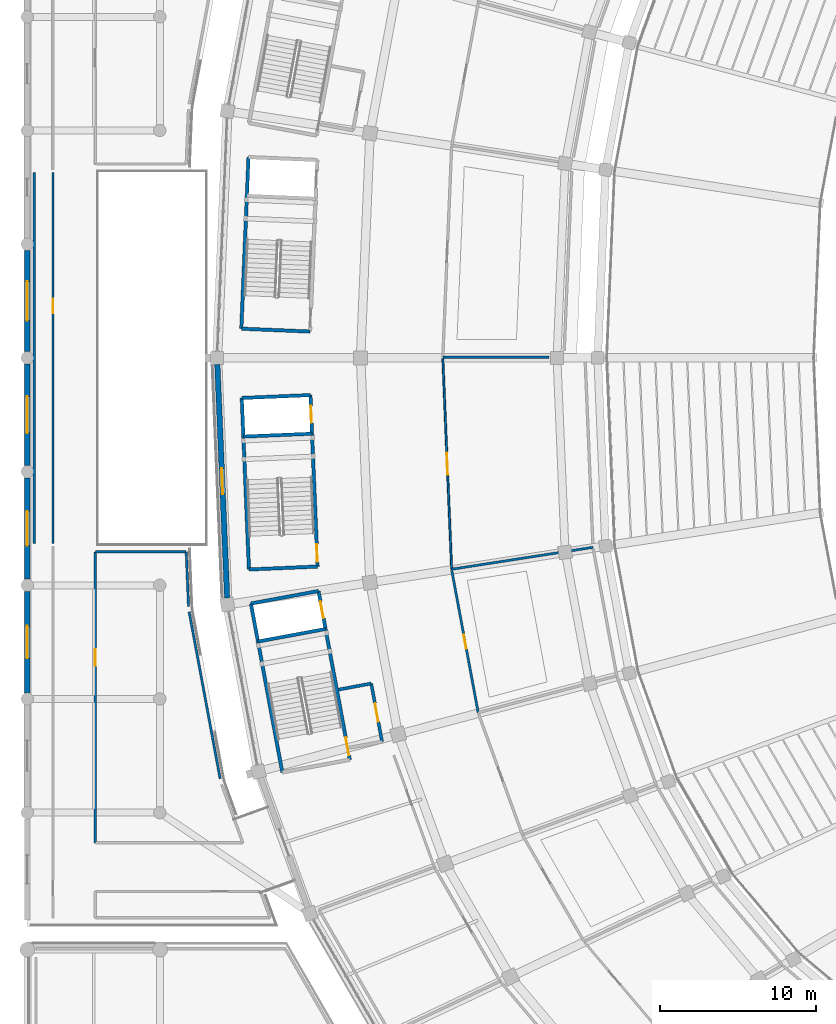
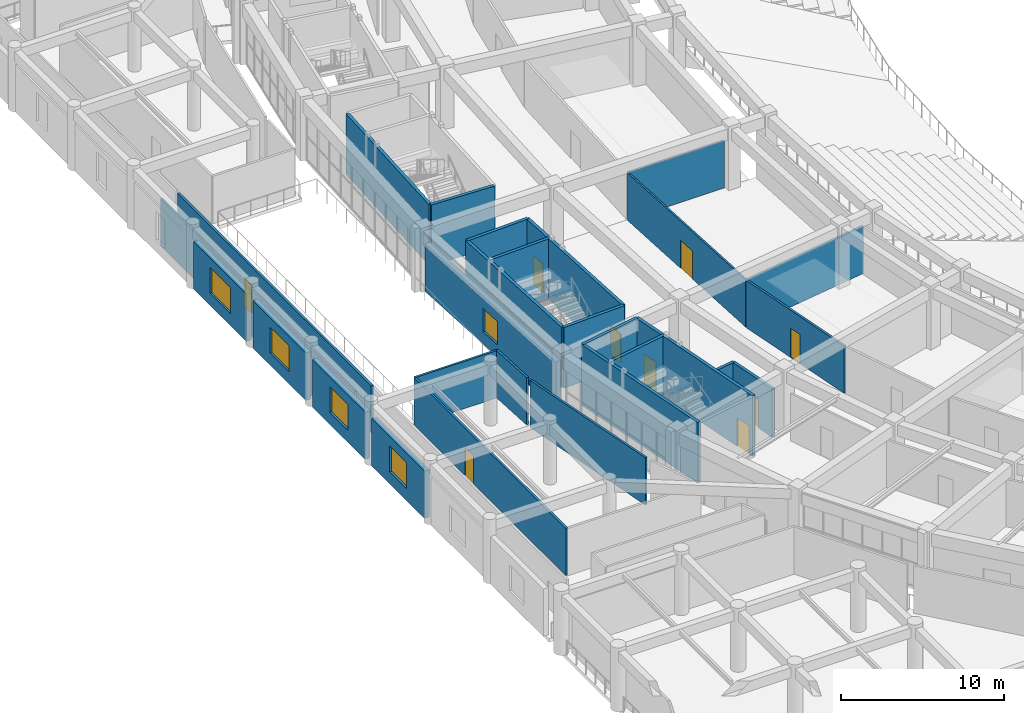
# One storey, part 99 of 152: 28 walls, 9 doors, 5 windows, 14 openings.
"""IFC4 building model written with IfcOpenShell, lengths in metres."""

from ifc_helpers import new_model, si_unit, direction, frame, frame_2d, origin, place, context, subcontext, project, spatial, rectangle, extrude, material, layer, layer_set, type_object, element, fill, save


model = new_model("IFC4")

# Units and contexts
model_context = context("Model", 3, precision=1e-05, world=origin(), true_north=direction((0.0, 1.0)))
body_context = subcontext(model_context, "Body", "Model", "MODEL_VIEW")
ifc_project = project(units=[si_unit("LENGTHUNIT", "METRE"), si_unit("AREAUNIT", "SQUARE_METRE"), si_unit("VOLUMEUNIT", "CUBIC_METRE"), si_unit("PLANEANGLEUNIT", "RADIAN"), si_unit("MASSUNIT", "GRAM", prefix="KILO")], contexts=[model_context])

# Site, building, storey
site_placement = place(None, origin())
site = spatial("IfcSite", under=ifc_project, at=site_placement, CompositionType="ELEMENT")
building_placement = place(site_placement, origin())
building = spatial("IfcBuilding", under=site, at=building_placement, Name="Mphavela Belvedere Stadium", CompositionType="ELEMENT")
storey_placement = place(building_placement, frame((0.0, 0.0, 5.39990234375)))
storey = spatial("IfcBuildingStorey", under=building, at=storey_placement, Name="L01", CompositionType="ELEMENT", Elevation=5.39990234375)

# Walls
ifc_material_1 = material(Name="Concrete C40/50", Category="concrete")
ifc_layer_1 = layer(ifc_material_1, 0.219970703125)
ifc_layer_set_1 = layer_set([ifc_layer_1], Name="Concrete C40/50")
wall_type_1 = type_object("IfcWallType", Name="WAL-CORE-SHEAR-220", PredefinedType="SHEAR", material=ifc_layer_set_1)
wall_1_placement = place(storey_placement, frame((13.737548828125, 88.87548828125, 0.0), z_axis=(0.0, 0.0, 1.0), x_axis=(0.041871977473, 0.999122984173, 0.0)))
element("IfcWall", 1, at=wall_1_placement, inside=storey, type_object=wall_type_1, Name="Core C07 shear wall L01 rear", PredefinedType="SHEAR", context=body_context, shape_type="SweptSolid", body=[
    extrude(rectangle(XDim=11.02001953125, YDim=0.219970703125, at=frame_2d((5.510009765625, 0.0))), origin(), (0.0, 0.0, 1.0), 4.550048828125),
])
wall_2_placement = place(storey_placement, frame((18.143798828125, 88.69091796875, 0.0), z_axis=(0.0, 0.0, 1.0), x_axis=(-0.999123838087, 0.041851596941, 0.0)))
element("IfcWall", 2, at=wall_2_placement, inside=storey, type_object=wall_type_1, Name="Core C07 shear wall L01 left", PredefinedType="SHEAR", context=body_context, shape_type="SweptSolid", body=[
    extrude(rectangle(XDim=4.41015625, YDim=0.219970703125, at=frame_2d((2.205078125, 0.0))), origin(), (0.0, 0.0, 1.0), 4.550048828125),
])
wall_3_placement = place(storey_placement, frame((14.228271484375, 73.414794921875, 0.0), z_axis=(0.0, 0.0, 1.0), x_axis=(-0.041871977473, 0.999122984173, 0.0)))
element("IfcWall", 3, at=wall_3_placement, inside=storey, type_object=wall_type_1, Name="Core C08 shear wall L01 rear", PredefinedType="SHEAR", context=body_context, shape_type="SweptSolid", body=[
    extrude(rectangle(XDim=11.02001953125, YDim=0.219970703125, at=frame_2d((5.510009765625, 0.0))), origin(), (0.0, 0.0, 1.0), 4.550048828125),
])
for number, where, z_axis, x_axis, name in (
    (4, (18.634521484375, 73.599609375, 0.0), (0.0, 0.0, 1.0), (-0.999121521721, -0.041906859039, 0.0), "Core C08 shear wall L01 left"),
    (5, (18.173095703125, 84.60986328125, 0.0), (0.0, 0.0, 1.0), (-0.999121521721, -0.041906859039, 0.0), "Core C08 shear wall L01 right"),
):
    element("IfcWall", number, at=place(storey_placement, frame(where, z_axis=z_axis, x_axis=x_axis)), inside=storey, type_object=wall_type_1, Name=name, PredefinedType="SHEAR", context=body_context, shape_type="SweptSolid", body=[
        extrude(rectangle(XDim=4.41015625, YDim=0.219970703125, at=frame_2d((2.205078125, 0.0))), origin(), (0.0, 0.0, 1.0), 4.550048828125),
    ])

# Wall, openings, doors
wall_4_placement = place(storey_placement, frame((18.634521484375, 73.599609375, 0.0), z_axis=(0.0, 0.0, 1.0), x_axis=(-0.041871977473, 0.999122984173, 0.0)))
wall_4 = element("IfcWall", 6, at=wall_4_placement, inside=storey, type_object=wall_type_1, Name="Core C08 shear wall L01 front", PredefinedType="SHEAR", context=body_context, shape_type="SweptSolid", body=[
    extrude(rectangle(XDim=11.02001953125, YDim=0.219970703125, at=frame_2d((5.510009765625, 0.0))), origin(), (0.0, 0.0, 1.0), 4.550048828125),
])
opening_1_placement = place(wall_4_placement, frame((0.300048828125, 0.0, 0.0)))
opening_1 = element("IfcOpeningElement", 7, at=opening_1_placement, cuts=wall_4, Name="Opening SD-040", PredefinedType="OPENING", context=body_context, shape_type="SweptSolid", body=[
    extrude(rectangle(XDim=1.14990234375, YDim=2.14990234375, at=frame_2d((0.574951171875, 1.074951171875))), frame((0.0, 0.1201171875, 0.0), z_axis=(0.0, -1.0, 0.0), x_axis=(1.0, 0.0, 0.0)), (0.0, 0.0, 1.0), 0.239990234375),
])
opening_2_placement = place(wall_4_placement, frame((9.22998046875, 0.0, 0.0)))
opening_2 = element("IfcOpeningElement", 8, at=opening_2_placement, cuts=wall_4, Name="Opening LD-040", PredefinedType="OPENING", context=body_context, shape_type="SweptSolid", body=[
    extrude(rectangle(XDim=1.10009765625, YDim=2.14990234375, at=frame_2d((0.550048828125, 1.074951171875))), frame((0.0, 0.1201171875, 0.0), z_axis=(0.0, -1.0, 0.0), x_axis=(1.0, 0.0, 0.0)), (0.0, 0.0, 1.0), 0.239990234375),
])
ifc_material_2 = material(Name="Stainless steel center-parting lift landing door", Category="steel")
door_type_1 = type_object("IfcDoorType", Name="DR-LIFT-SLIDE-1100", OperationType="NOTDEFINED", PredefinedType="DOOR", material=ifc_material_2)
door_1_placement = place(opening_2_placement, origin())
door_1 = element("IfcDoor", 9, at=door_1_placement, inside=storey, type_object=door_type_1, Name="Lift landing sliding door PL04 L01", OperationType="DOUBLE_DOOR_SLIDING", OverallHeight=2.14990234375, OverallWidth=1.10009765625, PredefinedType="DOOR", context=body_context, shape_type="SweptSolid", body=[
    extrude(rectangle(XDim=1.10009765625, YDim=2.14990234375, at=frame_2d((0.550048828125, 1.074951171875))), frame((0.0, 0.02490234375, 0.0), z_axis=(0.0, -1.0, 0.0), x_axis=(1.0, 0.0, 0.0)), (0.0, 0.0, 1.0), 0.050048828125),
])
fill(opening_2, door_1)
ifc_material_3 = material(Name="Steel acoustic fire-resisting stair doorset", Category="steel")
door_type_2 = type_object("IfcDoorType", Name="DR-STAIR-FIRE-1150", OperationType="NOTDEFINED", PredefinedType="DOOR", material=ifc_material_3)
door_2_placement = place(opening_1_placement, origin())
door_2 = element("IfcDoor", 10, at=door_2_placement, inside=storey, type_object=door_type_2, Name="Escape stair fire door C08 L01", OperationType="SINGLE_SWING_RIGHT", OverallHeight=2.14990234375, OverallWidth=1.14990234375, PredefinedType="DOOR", context=body_context, shape_type="SweptSolid", body=[
    extrude(rectangle(XDim=1.14990234375, YDim=2.14990234375, at=frame_2d((0.574951171875, 1.074951171875))), frame((0.0, 0.02490234375, 0.0), z_axis=(0.0, -1.0, 0.0), x_axis=(1.0, 0.0, 0.0)), (0.0, 0.0, 1.0), 0.050048828125),
])
fill(opening_1, door_2)

# Walls
wall_5_placement = place(storey_placement, frame((18.27685546875, 82.132080078125, 0.0), z_axis=(0.0, 0.0, 1.0), x_axis=(-0.999121521721, -0.041906859039, 0.0)))
element("IfcWall", 11, at=wall_5_placement, inside=storey, type_object=wall_type_1, Name="Core C08 shear wall L01 div", PredefinedType="SHEAR", context=body_context, shape_type="SweptSolid", body=[
    extrude(rectangle(XDim=4.41015625, YDim=0.219970703125, at=frame_2d((2.205078125, 0.0))), origin(), (0.0, 0.0, 1.0), 4.550048828125),
])
wall_6_placement = place(storey_placement, frame((16.367919921875, 60.391845703125, 0.0), z_axis=(0.0, 0.0, 1.0), x_axis=(-0.182570778451, 0.983192712979, 0.0)))
element("IfcWall", 12, at=wall_6_placement, inside=storey, type_object=wall_type_1, Name="Core C09 shear wall L01 rear", PredefinedType="SHEAR", context=body_context, shape_type="SweptSolid", body=[
    extrude(rectangle(XDim=11.020263671875, YDim=0.219970703125, at=frame_2d((5.51025390625, 0.0))), origin(), (0.0, 0.0, 1.0), 4.550048828125),
])
wall_7_placement = place(storey_placement, frame((18.69189453125, 72.031982421875, 0.0), z_axis=(0.0, 0.0, 1.0), x_axis=(-0.983191575486, -0.182576904051, 0.0)))
element("IfcWall", 13, at=wall_7_placement, inside=storey, type_object=wall_type_1, Name="Core C09 shear wall L01 right", PredefinedType="SHEAR", context=body_context, shape_type="SweptSolid", body=[
    extrude(rectangle(XDim=4.41015625, YDim=0.219970703125, at=frame_2d((2.205078125, 0.0))), origin(), (0.0, 0.0, 1.0), 4.550048828125),
])

# Wall, openings, doors
wall_8_placement = place(storey_placement, frame((20.703857421875, 61.197021484375, 0.0), z_axis=(0.0, 0.0, 1.0), x_axis=(-0.182570778451, 0.983192712979, 0.0)))
wall_8 = element("IfcWall", 14, at=wall_8_placement, inside=storey, type_object=wall_type_1, Name="Core C09 shear wall L01 front", PredefinedType="SHEAR", context=body_context, shape_type="SweptSolid", body=[
    extrude(rectangle(XDim=11.020263671875, YDim=0.219970703125, at=frame_2d((5.51025390625, 0.0))), origin(), (0.0, 0.0, 1.0), 4.550048828125),
])
opening_3_placement = place(wall_8_placement, frame((0.300048828125, 0.0, 0.0)))
opening_3 = element("IfcOpeningElement", 15, at=opening_3_placement, cuts=wall_8, Name="Opening SD-046", PredefinedType="OPENING", context=body_context, shape_type="SweptSolid", body=[
    extrude(rectangle(XDim=1.14990234375, YDim=2.14990234375, at=frame_2d((0.574951171875, 1.074951171875))), frame((0.0, 0.1201171875, 0.0), z_axis=(0.0, -1.0, 0.0), x_axis=(1.0, 0.0, 0.0)), (0.0, 0.0, 1.0), 0.239990234375),
])
opening_4_placement = place(wall_8_placement, frame((9.22998046875, 0.0, 0.0)))
opening_4 = element("IfcOpeningElement", 16, at=opening_4_placement, cuts=wall_8, Name="Opening LD-046", PredefinedType="OPENING", context=body_context, shape_type="SweptSolid", body=[
    extrude(rectangle(XDim=1.10009765625, YDim=2.14990234375, at=frame_2d((0.550048828125, 1.074951171875))), frame((0.0, 0.1201171875, 0.0), z_axis=(0.0, -1.0, 0.0), x_axis=(1.0, 0.0, 0.0)), (0.0, 0.0, 1.0), 0.239990234375),
])
door_3_placement = place(opening_4_placement, origin())
door_3 = element("IfcDoor", 17, at=door_3_placement, inside=storey, type_object=door_type_1, Name="Lift landing sliding door FL04 L01", OperationType="DOUBLE_DOOR_SLIDING", OverallHeight=2.14990234375, OverallWidth=1.10009765625, PredefinedType="DOOR", context=body_context, shape_type="SweptSolid", body=[
    extrude(rectangle(XDim=1.10009765625, YDim=2.14990234375, at=frame_2d((0.550048828125, 1.074951171875))), frame((0.0, 0.02490234375, 0.0), z_axis=(0.0, -1.0, 0.0), x_axis=(1.0, 0.0, 0.0)), (0.0, 0.0, 1.0), 0.050048828125),
])
fill(opening_4, door_3)
door_4_placement = place(opening_3_placement, origin())
door_4 = element("IfcDoor", 18, at=door_4_placement, inside=storey, type_object=door_type_2, Name="Escape stair fire door C09 L01", OperationType="SINGLE_SWING_LEFT", OverallHeight=2.14990234375, OverallWidth=1.14990234375, PredefinedType="DOOR", context=body_context, shape_type="SweptSolid", body=[
    extrude(rectangle(XDim=1.14990234375, YDim=2.14990234375, at=frame_2d((0.574951171875, 1.074951171875))), frame((0.0, 0.02490234375, 0.0), z_axis=(0.0, -1.0, 0.0), x_axis=(1.0, 0.0, 0.0)), (0.0, 0.0, 1.0), 0.050048828125),
])
fill(opening_3, door_4)

# Wall
wall_9_placement = place(storey_placement, frame((19.14453125, 69.593505859375, 0.0), z_axis=(0.0, 0.0, 1.0), x_axis=(-0.983189729951, -0.18258684213, 0.0)))
element("IfcWall", 19, at=wall_9_placement, inside=storey, type_object=wall_type_1, Name="Core C09 shear wall L01 div", PredefinedType="SHEAR", context=body_context, shape_type="SweptSolid", body=[
    extrude(rectangle(XDim=4.409912109375, YDim=0.219970703125, at=frame_2d((2.205078125, 0.0))), origin(), (0.0, 0.0, 1.0), 4.550048828125),
])

# Wall, opening, window
ifc_material_4 = material(Name="Honed ashlar limestone masonry", Category="masonry")
ifc_layer_2 = layer(ifc_material_4, 0.35009765625)
ifc_layer_set_2 = layer_set([ifc_layer_2], Name="Honed ashlar limestone masonry")
wall_type_2 = type_object("IfcWallType", Name="WAL-EXT-ASHLAR-350", PredefinedType="STANDARD", material=ifc_layer_set_2)
wall_10_placement = place(storey_placement, frame((12.19775390625, 86.577392578125, 0.0), z_axis=(0.0, 0.0, 1.0), x_axis=(0.041907194538, -0.999121507649, 0.0)))
wall_10 = element("IfcWall", 20, at=wall_10_placement, inside=storey, type_object=wall_type_2, Name="Classical ashlar facade wall L01-25", PredefinedType="STANDARD", context=body_context, shape_type="SweptSolid", body=[
    extrude(rectangle(XDim=15.012939453125, YDim=0.35009765625, at=frame_2d((7.50634765625, 0.0))), origin(), (0.0, 0.0, 1.0), 3.570068359375),
])
opening_5_placement = place(wall_10_placement, frame((6.676513671875, 0.0, 0.89990234375)))
opening_5 = element("IfcOpeningElement", 21, at=opening_5_placement, cuts=wall_10, Name="Opening W-016", PredefinedType="OPENING", context=body_context, shape_type="SweptSolid", body=[
    extrude(rectangle(XDim=1.659912109375, YDim=1.75, at=frame_2d((0.830078125, 0.875))), frame((0.0, 0.18505859375, 0.0), z_axis=(0.0, -1.0, 0.0), x_axis=(1.0, 0.0, 0.0)), (0.0, 0.0, 1.0), 0.3701171875),
])
ifc_material_5 = material(Name="Bronze-anodised thermally broken aluminium window", Category="aluminium")
window_type_1 = type_object("IfcWindowType", Name="WIN-EXT-16", PartitioningType="SINGLE_PANEL", PredefinedType="WINDOW", material=ifc_material_5)
window_1_placement = place(opening_5_placement, origin())
window_1 = element("IfcWindow", 22, at=window_1_placement, inside=storey, type_object=window_type_1, Name="Belvedere gallery window W-016", OverallHeight=1.75, OverallWidth=1.659912109375, PartitioningType="SINGLE_PANEL", PredefinedType="WINDOW", context=body_context, shape_type="SweptSolid", body=[
    extrude(rectangle(XDim=1.659912109375, YDim=1.75, at=frame_2d((0.830078125, 0.875))), frame((0.0, 0.030029296875, 0.0), z_axis=(0.0, -1.0, 0.0), x_axis=(1.0, 0.0, 0.0)), (0.0, 0.0, 1.0), 0.06005859375),
])
fill(opening_5, window_1)

wall_11_placement = place(storey_placement, frame((0.0, 65.498046875, 0.0), z_axis=(0.0, 0.0, 1.0), x_axis=(0.0, 1.0, 0.0)))
wall_11 = element("IfcWall", 23, at=wall_11_placement, inside=storey, type_object=wall_type_2, Name="West Planted Eaves Peristyle Colonnade outer facade bay L01-03", PredefinedType="STANDARD", context=body_context, shape_type="SweptSolid", body=[
    extrude(rectangle(XDim=6.50390625, YDim=0.35009765625, at=frame_2d((3.251953125, 0.0))), origin(), (0.0, 0.0, 1.0), 3.56005859375),
])
opening_6_placement = place(wall_11_placement, frame((2.2119140625, 0.0, 0.89990234375)))
opening_6 = element("IfcOpeningElement", 24, at=opening_6_placement, cuts=wall_11, Name="Opening W-250", PredefinedType="OPENING", context=body_context, shape_type="SweptSolid", body=[
    extrude(rectangle(XDim=2.080078125, YDim=1.949951171875, at=frame_2d((1.0400390625, 0.97509765625))), frame((0.0, 0.18505859375, 0.0), z_axis=(0.0, -1.0, 0.0), x_axis=(1.0, 0.0, 0.0)), (0.0, 0.0, 1.0), 0.3701171875),
])
ifc_material_6 = material(Name="Bronze-anodised thermally broken aluminium window", Category="aluminium")
window_type_2 = type_object("IfcWindowType", Name="WIN-EXT-30", PartitioningType="SINGLE_PANEL", PredefinedType="WINDOW", material=ifc_material_6)
window_2_placement = place(opening_6_placement, origin())
window_2 = element("IfcWindow", 25, at=window_2_placement, inside=storey, type_object=window_type_2, Name="West Planted Eaves Peristyle Colonnade classical window W-250", OverallHeight=1.949951171875, OverallWidth=2.080078125, PartitioningType="SINGLE_PANEL", PredefinedType="WINDOW", context=body_context, shape_type="SweptSolid", body=[
    extrude(rectangle(XDim=2.080078125, YDim=1.949951171875, at=frame_2d((1.0400390625, 0.97509765625))), frame((0.0, 0.030029296875, 0.0), z_axis=(0.0, -1.0, 0.0), x_axis=(1.0, 0.0, 0.0)), (0.0, 0.0, 1.0), 0.06005859375),
])
fill(opening_6, window_2)

wall_12_placement = place(storey_placement, frame((0.0, 72.798095703125, 0.0), z_axis=(0.0, 0.0, 1.0), x_axis=(0.0, 1.0, 0.0)))
wall_12 = element("IfcWall", 26, at=wall_12_placement, inside=storey, type_object=wall_type_2, Name="West Planted Eaves Peristyle Colonnade outer facade bay L01-04", PredefinedType="STANDARD", context=body_context, shape_type="SweptSolid", body=[
    extrude(rectangle(XDim=6.50390625, YDim=0.35009765625, at=frame_2d((3.251953125, 0.0))), origin(), (0.0, 0.0, 1.0), 3.56005859375),
])
opening_7_placement = place(wall_12_placement, frame((2.14208984375, 0.0, 0.89990234375)))
opening_7 = element("IfcOpeningElement", 27, at=opening_7_placement, cuts=wall_12, Name="Opening W-251", PredefinedType="OPENING", context=body_context, shape_type="SweptSolid", body=[
    extrude(rectangle(XDim=2.219970703125, YDim=1.949951171875, at=frame_2d((1.10986328125, 0.97509765625))), frame((0.0, 0.18505859375, 0.0), z_axis=(0.0, -1.0, 0.0), x_axis=(1.0, 0.0, 0.0)), (0.0, 0.0, 1.0), 0.3701171875),
])
ifc_material_7 = material(Name="Bronze-anodised thermally broken aluminium window", Category="aluminium")
window_type_3 = type_object("IfcWindowType", Name="WIN-EXT-31", PartitioningType="SINGLE_PANEL", PredefinedType="WINDOW", material=ifc_material_7)
window_3_placement = place(opening_7_placement, origin())
window_3 = element("IfcWindow", 28, at=window_3_placement, inside=storey, type_object=window_type_3, Name="West Planted Eaves Peristyle Colonnade classical window W-251", OverallHeight=1.949951171875, OverallWidth=2.219970703125, PartitioningType="SINGLE_PANEL", PredefinedType="WINDOW", context=body_context, shape_type="SweptSolid", body=[
    extrude(rectangle(XDim=2.219970703125, YDim=1.949951171875, at=frame_2d((1.10986328125, 0.97509765625))), frame((0.0, 0.030029296875, 0.0), z_axis=(0.0, -1.0, 0.0), x_axis=(1.0, 0.0, 0.0)), (0.0, 0.0, 1.0), 0.06005859375),
])
fill(opening_7, window_3)

wall_13_placement = place(storey_placement, frame((0.0, 80.097900390625, 0.0), z_axis=(0.0, 0.0, 1.0), x_axis=(0.0, 1.0, 0.0)))
wall_13 = element("IfcWall", 29, at=wall_13_placement, inside=storey, type_object=wall_type_2, Name="West Planted Eaves Peristyle Colonnade outer facade bay L01-05", PredefinedType="STANDARD", context=body_context, shape_type="SweptSolid", body=[
    extrude(rectangle(XDim=6.504150390625, YDim=0.35009765625, at=frame_2d((3.251953125, 0.0))), origin(), (0.0, 0.0, 1.0), 3.56005859375),
])
opening_8_placement = place(wall_13_placement, frame((2.072021484375, 0.0, 0.89990234375)))
opening_8 = element("IfcOpeningElement", 30, at=opening_8_placement, cuts=wall_13, Name="Opening W-252", PredefinedType="OPENING", context=body_context, shape_type="SweptSolid", body=[
    extrude(rectangle(XDim=2.360107421875, YDim=1.949951171875, at=frame_2d((1.18017578125, 0.97509765625))), frame((0.0, 0.18505859375, 0.0), z_axis=(0.0, -1.0, 0.0), x_axis=(1.0, 0.0, 0.0)), (0.0, 0.0, 1.0), 0.3701171875),
])
ifc_material_8 = material(Name="Bronze-anodised thermally broken aluminium window", Category="aluminium")
window_type_4 = type_object("IfcWindowType", Name="WIN-EXT-32", PartitioningType="SINGLE_PANEL", PredefinedType="WINDOW", material=ifc_material_8)
window_4_placement = place(opening_8_placement, origin())
window_4 = element("IfcWindow", 31, at=window_4_placement, inside=storey, type_object=window_type_4, Name="West Planted Eaves Peristyle Colonnade classical window W-252", OverallHeight=1.949951171875, OverallWidth=2.360107421875, PartitioningType="SINGLE_PANEL", PredefinedType="WINDOW", context=body_context, shape_type="SweptSolid", body=[
    extrude(rectangle(XDim=2.360107421875, YDim=1.949951171875, at=frame_2d((1.18017578125, 0.97509765625))), frame((0.0, 0.030029296875, 0.0), z_axis=(0.0, -1.0, 0.0), x_axis=(1.0, 0.0, 0.0)), (0.0, 0.0, 1.0), 0.06005859375),
])
fill(opening_8, window_4)

wall_14_placement = place(storey_placement, frame((0.0, 87.39794921875, 0.0), z_axis=(0.0, 0.0, 1.0), x_axis=(0.0, 1.0, 0.0)))
wall_14 = element("IfcWall", 32, at=wall_14_placement, inside=storey, type_object=wall_type_2, Name="West Planted Eaves Peristyle Colonnade outer facade bay L01-06", PredefinedType="STANDARD", context=body_context, shape_type="SweptSolid", body=[
    extrude(rectangle(XDim=6.504150390625, YDim=0.35009765625, at=frame_2d((3.251953125, 0.0))), origin(), (0.0, 0.0, 1.0), 3.56005859375),
])
opening_9_placement = place(wall_14_placement, frame((1.991943359375, 0.0, 0.89990234375)))
opening_9 = element("IfcOpeningElement", 33, at=opening_9_placement, cuts=wall_14, Name="Opening W-253", PredefinedType="OPENING", context=body_context, shape_type="SweptSolid", body=[
    extrude(rectangle(XDim=2.52001953125, YDim=1.949951171875, at=frame_2d((1.260009765625, 0.97509765625))), frame((0.0, 0.18505859375, 0.0), z_axis=(0.0, -1.0, 0.0), x_axis=(1.0, 0.0, 0.0)), (0.0, 0.0, 1.0), 0.3701171875),
])
ifc_material_9 = material(Name="Bronze-anodised thermally broken aluminium window", Category="aluminium")
window_type_5 = type_object("IfcWindowType", Name="WIN-EXT-33", PartitioningType="SINGLE_PANEL", PredefinedType="WINDOW", material=ifc_material_9)
window_5_placement = place(opening_9_placement, origin())
window_5 = element("IfcWindow", 34, at=window_5_placement, inside=storey, type_object=window_type_5, Name="West Planted Eaves Peristyle Colonnade classical window W-253", OverallHeight=1.949951171875, OverallWidth=2.52001953125, PartitioningType="SINGLE_PANEL", PredefinedType="WINDOW", context=body_context, shape_type="SweptSolid", body=[
    extrude(rectangle(XDim=2.52001953125, YDim=1.949951171875, at=frame_2d((1.260009765625, 0.97509765625))), frame((0.0, 0.030029296875, 0.0), z_axis=(0.0, -1.0, 0.0), x_axis=(1.0, 0.0, 0.0)), (0.0, 0.0, 1.0), 0.06005859375),
])
fill(opening_9, window_5)

# Wall, opening, door
ifc_material_10 = material(Name="Moisture-resistant sanitary partition assembly")
ifc_layer_3 = layer(ifc_material_10, 0.125)
ifc_layer_set_3 = layer_set([ifc_layer_3], Name="Moisture-resistant sanitary partition assembly")
wall_type_3 = type_object("IfcWallType", Name="WAL-PART-125", PredefinedType="PARTITIONING", material=ifc_layer_set_3)
wall_15_placement = place(storey_placement, frame((27.2421875, 73.4287109375, 0.0), z_axis=(0.0, 0.0, 1.0), x_axis=(-0.041894479342, 0.999122040894, 0.0)))
wall_15 = element("IfcWall", 35, at=wall_15_placement, inside=storey, type_object=wall_type_3, Name="Room L01-96 corridor partition", PredefinedType="PARTITIONING", context=body_context, shape_type="SweptSolid", body=[
    extrude(rectangle(XDim=13.543212890625, YDim=0.125, at=frame_2d((6.771484375, 0.0))), origin(), (0.0, 0.0, 1.0), 3.550048828125),
])
opening_10_placement = place(wall_15_placement, frame((6.071533203125, 0.0, 0.0)))
opening_10 = element("IfcOpeningElement", 36, at=opening_10_placement, cuts=wall_15, Name="Opening ID-120", PredefinedType="OPENING", context=body_context, shape_type="SweptSolid", body=[
    extrude(rectangle(XDim=1.39990234375, YDim=2.10009765625, at=frame_2d((0.699951171875, 1.050048828125))), frame((0.0, 0.072509765625, 0.0), z_axis=(0.0, -1.0, 0.0), x_axis=(1.0, 0.0, 0.0)), (0.0, 0.0, 1.0), 0.14501953125),
])
ifc_material_11 = material(Name="Hardwood acoustic timber doorset", Category="wood")
door_type_3 = type_object("IfcDoorType", Name="DR-INT-12", OperationType="NOTDEFINED", PredefinedType="DOOR", material=ifc_material_11)
door_5_placement = place(opening_10_placement, origin())
door_5 = element("IfcDoor", 37, at=door_5_placement, inside=storey, type_object=door_type_3, Name="Room L01-96 entrance door ID-120", OperationType="SINGLE_SWING_RIGHT", OverallHeight=2.10009765625, OverallWidth=1.39990234375, PredefinedType="DOOR", context=body_context, shape_type="SweptSolid", body=[
    extrude(rectangle(XDim=1.39990234375, YDim=2.10009765625, at=frame_2d((0.699951171875, 1.050048828125))), frame((0.0, 0.02490234375, 0.0), z_axis=(0.0, -1.0, 0.0), x_axis=(1.0, 0.0, 0.0)), (0.0, 0.0, 1.0), 0.050048828125),
])
fill(opening_10, door_5)

ifc_material_12 = material(Name="Acoustic gypsum stud partition assembly")
ifc_layer_4 = layer(ifc_material_12, 0.14990234375)
ifc_layer_set_4 = layer_set([ifc_layer_4], Name="Acoustic gypsum stud partition assembly")
wall_type_4 = type_object("IfcWallType", Name="WAL-PART-150", PredefinedType="PARTITIONING", material=ifc_layer_set_4)
wall_16_placement = place(storey_placement, frame((28.946533203125, 64.220947265625, 0.0), z_axis=(0.0, 0.0, 1.0), x_axis=(-0.182600545941, 0.983187184936, 0.0)))
wall_16 = element("IfcWall", 38, at=wall_16_placement, inside=storey, type_object=wall_type_4, Name="Room L01-98 corridor partition", PredefinedType="PARTITIONING", context=body_context, shape_type="SweptSolid", body=[
    extrude(rectangle(XDim=9.2841796875, YDim=0.14990234375, at=frame_2d((4.64208984375, 0.0))), origin(), (0.0, 0.0, 1.0), 3.550048828125),
])
opening_11_placement = place(wall_16_placement, frame((4.192138671875, 0.0, 0.0)))
opening_11 = element("IfcOpeningElement", 39, at=opening_11_placement, cuts=wall_16, Name="Opening ID-121", PredefinedType="OPENING", context=body_context, shape_type="SweptSolid", body=[
    extrude(rectangle(XDim=0.89990234375, YDim=2.199951171875, at=frame_2d((0.449951171875, 1.10009765625))), frame((0.0, 0.0849609375, 0.0), z_axis=(0.0, -1.0, 0.0), x_axis=(1.0, 0.0, 0.0)), (0.0, 0.0, 1.0), 0.169921875),
])
ifc_material_13 = material(Name="Hardwood acoustic timber doorset", Category="wood")
door_type_4 = type_object("IfcDoorType", Name="DR-INT-13", OperationType="NOTDEFINED", PredefinedType="DOOR", material=ifc_material_13)
door_6_placement = place(opening_11_placement, origin())
door_6 = element("IfcDoor", 40, at=door_6_placement, inside=storey, type_object=door_type_4, Name="Room L01-98 entrance door ID-121", OperationType="SINGLE_SWING_LEFT", OverallHeight=2.199951171875, OverallWidth=0.89990234375, PredefinedType="DOOR", context=body_context, shape_type="SweptSolid", body=[
    extrude(rectangle(XDim=0.89990234375, YDim=2.199951171875, at=frame_2d((0.449951171875, 1.10009765625))), frame((0.0, 0.02490234375, 0.0), z_axis=(0.0, -1.0, 0.0), x_axis=(1.0, 0.0, 0.0)), (0.0, 0.0, 1.0), 0.050048828125),
])
fill(opening_11, door_6)

wall_17_placement = place(storey_placement, frame((1.639892578125, 98.916748046875, 0.0), z_axis=(0.0, 0.0, 1.0), x_axis=(0.0, -1.0, 0.0)))
wall_17 = element("IfcWall", 41, at=wall_17_placement, inside=storey, type_object=wall_type_4, Name="Room L01-191 corridor partition", PredefinedType="PARTITIONING", context=body_context, shape_type="SweptSolid", body=[
    extrude(rectangle(XDim=23.83349609375, YDim=0.14990234375, at=frame_2d((11.916748046875, 0.0))), origin(), (0.0, 0.0, 1.0), 3.550048828125),
])
opening_12_placement = place(wall_17_placement, frame((8.108642578125, 0.0, 0.0)))
opening_12 = element("IfcOpeningElement", 42, at=opening_12_placement, cuts=wall_17, Name="Opening ID-506", PredefinedType="OPENING", context=body_context, shape_type="SweptSolid", body=[
    extrude(rectangle(XDim=0.93994140625, YDim=2.10009765625, at=frame_2d((0.469970703125, 1.050048828125))), frame((0.0, 0.0849609375, 0.0), z_axis=(0.0, -1.0, 0.0), x_axis=(1.0, 0.0, 0.0)), (0.0, 0.0, 1.0), 0.169921875),
])
ifc_material_14 = material(Name="Hardwood acoustic timber doorset", Category="wood")
door_type_5 = type_object("IfcDoorType", Name="DR-INT-02", OperationType="NOTDEFINED", PredefinedType="DOOR", material=ifc_material_14)
door_7_placement = place(opening_12_placement, origin())
door_7 = element("IfcDoor", 43, at=door_7_placement, inside=storey, type_object=door_type_5, Name="Room L01-191 entrance door ID-506", OperationType="SINGLE_SWING_RIGHT", OverallHeight=2.10009765625, OverallWidth=0.93994140625, PredefinedType="DOOR", context=body_context, shape_type="SweptSolid", body=[
    extrude(rectangle(XDim=0.93994140625, YDim=2.10009765625, at=frame_2d((0.469970703125, 1.050048828125))), frame((0.0, 0.02490234375, 0.0), z_axis=(0.0, -1.0, 0.0), x_axis=(1.0, 0.0, 0.0)), (0.0, 0.0, 1.0), 0.050048828125),
])
fill(opening_12, door_7)

wall_18_placement = place(storey_placement, frame((4.360107421875, 55.860107421875, 0.0), z_axis=(0.0, 0.0, 1.0), x_axis=(0.0, 1.0, 0.0)))
wall_18 = element("IfcWall", 44, at=wall_18_placement, inside=storey, type_object=wall_type_4, Name="Room L01-194 corridor partition", PredefinedType="PARTITIONING", context=body_context, shape_type="SweptSolid", body=[
    extrude(rectangle(XDim=18.68994140625, YDim=0.14990234375, at=frame_2d((9.344970703125, 0.0))), origin(), (0.0, 0.0, 1.0), 3.550048828125),
])
opening_13_placement = place(wall_18_placement, frame((11.363525390625, 0.0, 0.0)))
opening_13 = element("IfcOpeningElement", 45, at=opening_13_placement, cuts=wall_18, Name="Opening ID-509", PredefinedType="OPENING", context=body_context, shape_type="SweptSolid", body=[
    extrude(rectangle(XDim=1.06005859375, YDim=2.10009765625, at=frame_2d((0.530029296875, 1.050048828125))), frame((0.0, 0.0849609375, 0.0), z_axis=(0.0, -1.0, 0.0), x_axis=(1.0, 0.0, 0.0)), (0.0, 0.0, 1.0), 0.169921875),
])
ifc_material_15 = material(Name="Hardwood acoustic timber doorset", Category="wood")
door_type_6 = type_object("IfcDoorType", Name="DR-INT-05", OperationType="NOTDEFINED", PredefinedType="DOOR", material=ifc_material_15)
door_8_placement = place(opening_13_placement, origin())
door_8 = element("IfcDoor", 46, at=door_8_placement, inside=storey, type_object=door_type_6, Name="Room L01-194 entrance door ID-509", OperationType="SINGLE_SWING_LEFT", OverallHeight=2.10009765625, OverallWidth=1.06005859375, PredefinedType="DOOR", context=body_context, shape_type="SweptSolid", body=[
    extrude(rectangle(XDim=1.06005859375, YDim=2.10009765625, at=frame_2d((0.530029296875, 1.050048828125))), frame((0.0, 0.02490234375, 0.0), z_axis=(0.0, -1.0, 0.0), x_axis=(1.0, 0.0, 0.0)), (0.0, 0.0, 1.0), 0.050048828125),
])
fill(opening_13, door_8)

# Walls
wall_19_placement = place(storey_placement, frame((33.5048828125, 87.0400390625, 0.0), z_axis=(0.0, 0.0, 1.0), x_axis=(-1.0, 0.0, 0.0)))
element("IfcWall", 47, at=wall_19_placement, inside=storey, type_object=wall_type_4, Name="Room divider partition L01-0210", PredefinedType="PARTITIONING", context=body_context, shape_type="SweptSolid", body=[
    extrude(rectangle(XDim=6.830078125, YDim=0.14990234375, at=frame_2d((3.4150390625, 0.0))), origin(), (0.0, 0.0, 1.0), 3.550048828125),
])
wall_20_placement = place(storey_placement, frame((36.318115234375, 74.836181640625, 0.0), z_axis=(0.0, 0.0, 1.0), x_axis=(-0.988188135357, -0.153245584407, 0.0)))
element("IfcWall", 48, at=wall_20_placement, inside=storey, type_object=wall_type_4, Name="Room divider partition L01-0212", PredefinedType="PARTITIONING", context=body_context, shape_type="SweptSolid", body=[
    extrude(rectangle(XDim=9.184326171875, YDim=0.14990234375, at=frame_2d((4.59228515625, 0.0))), origin(), (0.0, 0.0, 1.0), 3.550048828125),
])
wall_21_placement = place(storey_placement, frame((0.449951171875, 75.083251953125, 0.0), z_axis=(0.0, 0.0, 1.0), x_axis=(0.0, 1.0, 0.0)))
element("IfcWall", 49, at=wall_21_placement, inside=storey, type_object=wall_type_4, Name="Room divider partition L01-1150", PredefinedType="PARTITIONING", context=body_context, shape_type="SweptSolid", body=[
    extrude(rectangle(XDim=23.83349609375, YDim=0.14990234375, at=frame_2d((11.916748046875, 0.0))), origin(), (0.0, 0.0, 1.0), 3.550048828125),
])
wall_22_placement = place(storey_placement, frame((10.38671875, 70.698486328125, 0.0), z_axis=(0.0, 0.0, 1.0), x_axis=(0.182620957058, -0.983183393901, 0.0)))
element("IfcWall", 50, at=wall_22_placement, inside=storey, type_object=wall_type_4, Name="Room divider partition L01-1154", PredefinedType="PARTITIONING", context=body_context, shape_type="SweptSolid", body=[
    extrude(rectangle(XDim=10.90087890625, YDim=0.14990234375, at=frame_2d((5.450439453125, 0.0))), origin(), (0.0, 0.0, 1.0), 3.550048828125),
])
wall_23_placement = place(storey_placement, frame((4.360107421875, 74.550048828125, 0.0), z_axis=(0.0, 0.0, 1.0), x_axis=(1.0, 0.0, 0.0)))
element("IfcWall", 51, at=wall_23_placement, inside=storey, type_object=wall_type_4, Name="Room divider partition L01-1157", PredefinedType="PARTITIONING", context=body_context, shape_type="SweptSolid", body=[
    extrude(rectangle(XDim=5.83984375, YDim=0.14990234375, at=frame_2d((2.919921875, 0.0))), origin(), (0.0, 0.0, 1.0), 3.550048828125),
])
wall_24_placement = place(storey_placement, frame((10.199951171875, 74.550048828125, 0.0), z_axis=(0.0, 0.0, 1.0), x_axis=(0.041888559174, -0.999122289117, 0.0)))
element("IfcWall", 52, at=wall_24_placement, inside=storey, type_object=wall_type_4, Name="Room divider partition L01-1158", PredefinedType="PARTITIONING", context=body_context, shape_type="SweptSolid", body=[
    extrude(rectangle(XDim=3.5029296875, YDim=0.14990234375, at=frame_2d((1.75146484375, 0.0))), origin(), (0.0, 0.0, 1.0), 3.550048828125),
])

# Wall, opening, door
ifc_material_16 = material(Name="Fire-rated calcium silicate partition assembly")
ifc_layer_5 = layer(ifc_material_16, 0.199951171875)
ifc_layer_set_5 = layer_set([ifc_layer_5], Name="Fire-rated calcium silicate partition assembly")
wall_type_5 = type_object("IfcWallType", Name="WAL-PART-FF-200", PredefinedType="PARTITIONING", material=ifc_layer_set_5)
wall_25_placement = place(storey_placement, frame((22.7724609375, 62.354248046875, 0.0), z_axis=(0.0, 0.0, 1.0), x_axis=(-0.182593081072, 0.983188571305, 0.0)))
wall_25 = element("IfcWall", 53, at=wall_25_placement, inside=storey, type_object=wall_type_5, Name="Firefighting lobby front wall C09 L01", PredefinedType="PARTITIONING", context=body_context, shape_type="SweptSolid", body=[
    extrude(rectangle(XDim=3.800048828125, YDim=0.199951171875, at=frame_2d((1.89990234375, 0.0))), origin(), (0.0, 0.0, 1.0), 3.650146484375),
])
opening_14_placement = place(wall_25_placement, frame((1.300048828125, 0.0, 0.0)))
opening_14 = element("IfcOpeningElement", 54, at=opening_14_placement, cuts=wall_25, Name="Opening FD-018", PredefinedType="OPENING", context=body_context, shape_type="SweptSolid", body=[
    extrude(rectangle(XDim=1.199951171875, YDim=2.179931640625, at=frame_2d((0.60009765625, 1.08984375))), frame((0.0, 0.10986328125, 0.0), z_axis=(0.0, -1.0, 0.0), x_axis=(1.0, 0.0, 0.0)), (0.0, 0.0, 1.0), 0.219970703125),
])
ifc_material_17 = material(Name="Steel smoke-sealed firefighting lobby doorset", Category="steel")
door_type_7 = type_object("IfcDoorType", Name="DR-FF-LOBBY-1200", OperationType="NOTDEFINED", PredefinedType="DOOR", material=ifc_material_17)
door_9_placement = place(opening_14_placement, origin())
door_9 = element("IfcDoor", 55, at=door_9_placement, inside=storey, type_object=door_type_7, Name="Firefighting lobby door C09 L01", OperationType="SINGLE_SWING_RIGHT", OverallHeight=2.179931640625, OverallWidth=1.199951171875, PredefinedType="DOOR", context=body_context, shape_type="SweptSolid", body=[
    extrude(rectangle(XDim=1.199951171875, YDim=2.179931640625, at=frame_2d((0.60009765625, 1.08984375))), frame((0.0, 0.02490234375, 0.0), z_axis=(0.0, -1.0, 0.0), x_axis=(1.0, 0.0, 0.0)), (0.0, 0.0, 1.0), 0.050048828125),
])
fill(opening_14, door_9)

# Wall
wall_26_placement = place(storey_placement, frame((22.07861328125, 66.09033203125, 0.0), z_axis=(0.0, 0.0, 1.0), x_axis=(-0.983201728106, -0.182522222892, 0.0)))
element("IfcWall", 56, at=wall_26_placement, inside=storey, type_object=wall_type_5, Name="Firefighting lobby side wall R C09 L01", PredefinedType="PARTITIONING", context=body_context, shape_type="SweptSolid", body=[
    extrude(rectangle(XDim=2.1201171875, YDim=0.199951171875, at=frame_2d((1.06005859375, 0.0))), origin(), (0.0, 0.0, 1.0), 3.650146484375),
])

save(model, "model.ifc")
